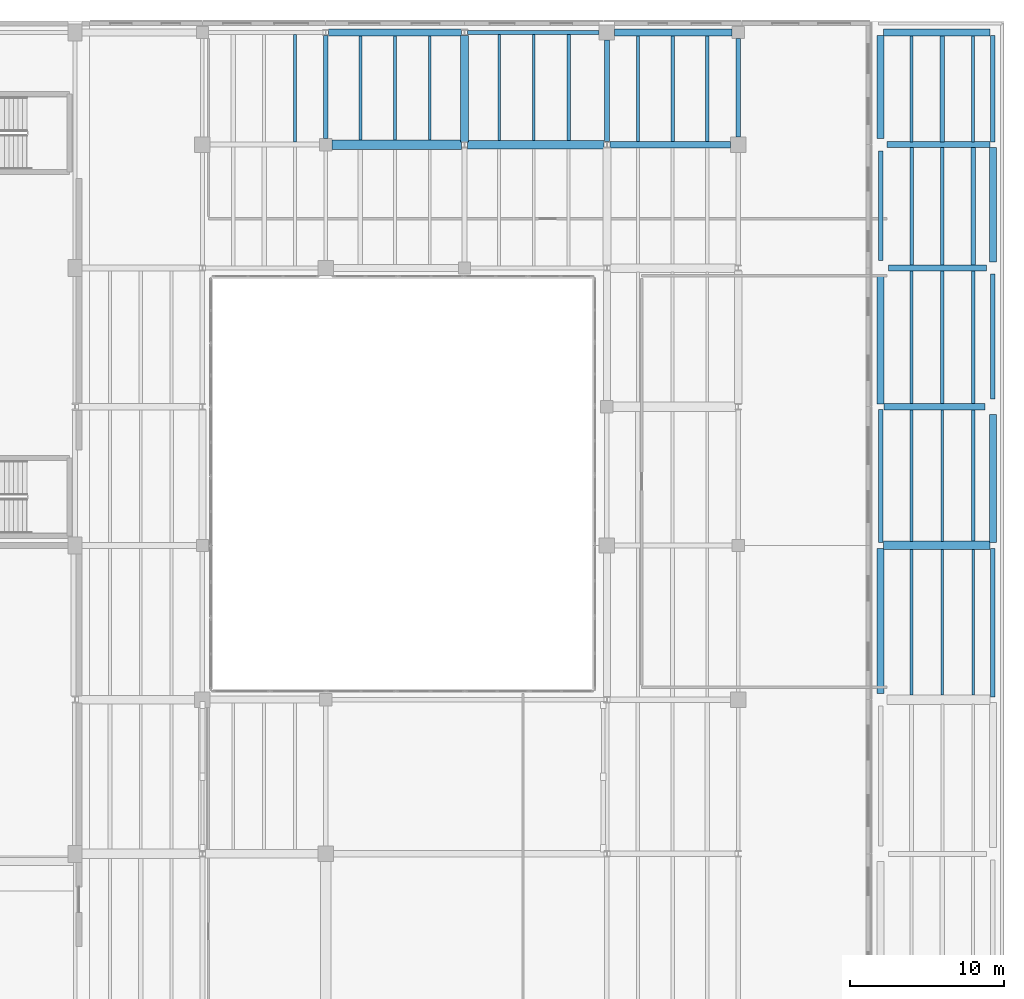
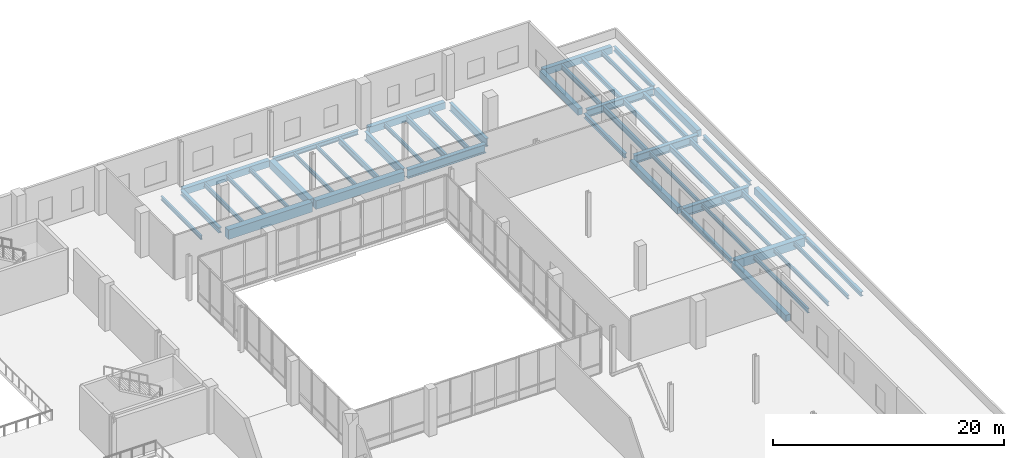
# One storey, part 45 of 73: 50 beams.
"""IFC4 building model written with IfcOpenShell, lengths in metres."""

from ifc_helpers import new_model, si_unit, direction, frame, origin, origin_2d, place, context, subcontext, project, spatial, rectangle, i_section, extrude, material, material_profile, profile_set, type_object, element, save


model = new_model("IFC4")

# Units and contexts
model_context = context("Model", 3, precision=1e-05, world=origin(), true_north=direction((0.0, 1.0)))
body_context = subcontext(model_context, "Body", "Model", "MODEL_VIEW")
ifc_project = project(units=[si_unit("LENGTHUNIT", "METRE"), si_unit("AREAUNIT", "SQUARE_METRE"), si_unit("VOLUMEUNIT", "CUBIC_METRE"), si_unit("PLANEANGLEUNIT", "RADIAN"), si_unit("MASSUNIT", "GRAM", prefix="KILO")], contexts=[model_context])

# Site, building, storey
site_placement = place(None, origin())
site = spatial("IfcSite", under=ifc_project, at=site_placement, CompositionType="ELEMENT")
building_placement = place(site_placement, origin())
building = spatial("IfcBuilding", under=site, at=building_placement, Name="Trimount Lyric Opera House", CompositionType="ELEMENT")
storey_placement = place(building_placement, frame((0.0, 0.0, 10.0)))
storey = spatial("IfcBuildingStorey", under=building, at=storey_placement, Name="L02", CompositionType="ELEMENT", Elevation=10.0)

# Beams
ifc_material_1 = material(Name="Steel ASTM A992 Grade 50", Category="steel")
ifc_material_profile_1 = material_profile(ifc_material_1, i_section(OverallWidth=0.4189453125, OverallDepth=0.927001953125, WebThickness=0.019287109375, FlangeThickness=0.031982421875, FilletRadius=0.02392578125, at=origin_2d()), Name="W36X231")
ifc_profile_set_1 = profile_set([ifc_material_profile_1], Name="Steel ASTM A992 Grade 50")
beam_type_1 = type_object("IfcBeamType", Name="B-02", PredefinedType="BEAM", material=ifc_profile_set_1)
beam_1_placement = place(storey_placement, frame((166.199462890625, 93.0, -0.7333984375), z_axis=(1.0, 0.0, 0.0), x_axis=(0.0, 1.0, 0.0)))
element("IfcBeam", 1, at=beam_1_placement, inside=storey, type_object=beam_type_1, Name="L02 girder X-0787", PredefinedType="BEAM", context=body_context, shape_type="SweptSolid", body=[
    extrude(i_section(OverallWidth=0.4189453125, OverallDepth=0.927001953125, WebThickness=0.019287109375, FlangeThickness=0.031982421875, FilletRadius=0.02392578125, at=origin_2d()), origin(), (0.0, 0.0, 1.0), 6.58056640625),
])
beam_2_placement = place(storey_placement, frame((148.439453125, 110.0, -0.75341796875), z_axis=(1.0, 0.0, 0.0), x_axis=(0.0, 1.0, 0.0)))
element("IfcBeam", 2, at=beam_2_placement, inside=storey, type_object=beam_type_1, Name="L02 girder X-0809", PredefinedType="BEAM", context=body_context, shape_type="SweptSolid", body=[
    extrude(i_section(OverallWidth=0.4189453125, OverallDepth=0.927001953125, WebThickness=0.019287109375, FlangeThickness=0.031982421875, FilletRadius=0.02392578125, at=origin_2d()), origin(), (0.0, 0.0, 1.0), 7.820556640625),
])
ifc_material_2 = material(Name="Steel ASTM A992 Grade 50", Category="steel")
ifc_material_profile_2 = material_profile(ifc_material_2, i_section(OverallWidth=0.304931640625, OverallDepth=0.9189453125, WebThickness=0.017333984375, FlangeThickness=0.02783203125, FilletRadius=0.02001953125, at=origin_2d()), Name="W36X170")
ifc_profile_set_2 = profile_set([ifc_material_profile_2], Name="Steel ASTM A992 Grade 50")
beam_type_2 = type_object("IfcBeamType", Name="B-03", PredefinedType="BEAM", material=ifc_profile_set_2)
beam_3_placement = place(storey_placement, frame((148.239990234375, 110.193115234375, -0.74951171875), z_axis=(0.0, 1.0, 0.0), x_axis=(-1.0, 0.0, 0.0)))
element("IfcBeam", 3, at=beam_3_placement, inside=storey, type_object=beam_type_2, Name="L02 girder Y-0916", PredefinedType="BEAM", context=body_context, shape_type="SweptSolid", body=[
    extrude(i_section(OverallWidth=0.304931640625, OverallDepth=0.9189453125, WebThickness=0.017333984375, FlangeThickness=0.02783203125, FilletRadius=0.02001953125, at=origin_2d()), origin(), (0.0, 0.0, 1.0), 6.5869140625),
])
ifc_material_3 = material(Name="Steel ASTM A992 Grade 50", Category="steel")
ifc_material_profile_3 = material_profile(ifc_material_3, i_section(OverallWidth=0.40087890625, OverallDepth=0.861083984375, WebThickness=0.019775390625, FlangeThickness=0.032470703125, FilletRadius=0.02001953125, at=origin_2d()), Name="W33X221")
ifc_profile_set_3 = profile_set([ifc_material_profile_3], Name="Steel ASTM A992 Grade 50")
beam_type_3 = type_object("IfcBeamType", Name="B-04", PredefinedType="BEAM", material=ifc_profile_set_3)
beam_4_placement = place(storey_placement, frame((166.5, 102.0, -0.700439453125), z_axis=(1.0, 0.0, 0.0), x_axis=(0.0, 1.0, 0.0)))
element("IfcBeam", 4, at=beam_4_placement, inside=storey, type_object=beam_type_3, Name="L02 girder X-0799", PredefinedType="BEAM", context=body_context, shape_type="SweptSolid", body=[
    extrude(i_section(OverallWidth=0.40087890625, OverallDepth=0.861083984375, WebThickness=0.019775390625, FlangeThickness=0.032470703125, FilletRadius=0.02001953125, at=origin_2d()), origin(), (0.0, 0.0, 1.0), 6.3798828125),
])
ifc_material_4 = material(Name="Steel ASTM A992 Grade 50", Category="steel")
ifc_material_profile_4 = material_profile(ifc_material_4, i_section(OverallWidth=0.2919921875, OverallDepth=0.845947265625, WebThickness=0.015380859375, FlangeThickness=0.0244140625, FilletRadius=0.01806640625, at=origin_2d()), Name="W33X141")
ifc_profile_set_4 = profile_set([ifc_material_profile_4], Name="Steel ASTM A992 Grade 50")
beam_type_4 = type_object("IfcBeamType", Name="B-05", PredefinedType="BEAM", material=ifc_profile_set_4)
beam_5_placement = place(storey_placement, frame((156.760009765625, 110.5, -0.712890625), z_axis=(0.0, 1.0, 0.0), x_axis=(-1.0, 0.0, 0.0)))
element("IfcBeam", 5, at=beam_5_placement, inside=storey, type_object=beam_type_4, Name="L02 girder Y-0923", PredefinedType="BEAM", context=body_context, shape_type="SweptSolid", body=[
    extrude(i_section(OverallWidth=0.2919921875, OverallDepth=0.845947265625, WebThickness=0.015380859375, FlangeThickness=0.0244140625, FilletRadius=0.01806640625, at=origin_2d()), origin(), (0.0, 0.0, 1.0), 6.3798828125),
])
ifc_material_5 = material(Name="Steel ASTM A992 Grade 50", Category="steel")
ifc_material_profile_5 = material_profile(ifc_material_5, i_section(OverallWidth=0.382080078125, OverallDepth=0.779052734375, WebThickness=0.01806640625, FlangeThickness=0.0302734375, FilletRadius=0.01904296875, at=origin_2d()), Name="W30X191")
ifc_profile_set_5 = profile_set([ifc_material_profile_5], Name="Steel ASTM A992 Grade 50")
beam_type_5 = type_object("IfcBeamType", Name="B-06", PredefinedType="BEAM", material=ifc_profile_set_5)
beam_6_placement = place(storey_placement, frame((166.39990234375, 110.0, -0.659423828125), z_axis=(1.0, 0.0, 0.0), x_axis=(0.0, 1.0, 0.0)))
element("IfcBeam", 6, at=beam_6_placement, inside=storey, type_object=beam_type_5, Name="L02 girder X-0810", PredefinedType="BEAM", context=body_context, shape_type="SweptSolid", body=[
    extrude(i_section(OverallWidth=0.382080078125, OverallDepth=0.779052734375, WebThickness=0.01806640625, FlangeThickness=0.0302734375, FilletRadius=0.01904296875, at=origin_2d()), origin(), (0.0, 0.0, 1.0), 6.693603515625),
])
ifc_material_6 = material(Name="Steel ASTM A992 Grade 50", Category="steel")
ifc_material_profile_6 = material_profile(ifc_material_6, i_section(OverallWidth=0.31201171875, OverallDepth=0.5458984375, WebThickness=0.013916015625, FlangeThickness=0.022216796875, FilletRadius=0.014892578125, at=origin_2d()), Name="W21X111")
ifc_profile_set_6 = profile_set([ifc_material_profile_6], Name="Steel ASTM A992 Grade 50")
beam_type_6 = type_object("IfcBeamType", Name="B-12", PredefinedType="BEAM", material=ifc_profile_set_6)
beam_7_placement = place(storey_placement, frame((130.0, 110.39990234375, -0.56298828125), z_axis=(0.0, 1.0, 0.0), x_axis=(-1.0, 0.0, 0.0)))
element("IfcBeam", 7, at=beam_7_placement, inside=storey, type_object=beam_type_6, Name="L02 girder Y-0906", PredefinedType="BEAM", context=body_context, shape_type="SweptSolid", body=[
    extrude(i_section(OverallWidth=0.31201171875, OverallDepth=0.5458984375, WebThickness=0.013916015625, FlangeThickness=0.022216796875, FilletRadius=0.014892578125, at=origin_2d()), origin(), (0.0, 0.0, 1.0), 6.696044921875),
])
ifc_material_7 = material(Name="Concrete C40/50", Category="concrete")
ifc_material_profile_7 = material_profile(ifc_material_7, rectangle(XDim=0.60009765625, YDim=1.0, at=origin_2d()), Name="RC600X1000")
ifc_profile_set_7 = profile_set([ifc_material_profile_7], Name="Concrete C40/50")
beam_type_7 = type_object("IfcBeamType", Name="B-13", PredefinedType="BEAM", material=ifc_profile_set_7)
beam_8_placement = place(storey_placement, frame((130.39990234375, 110.0, -0.7900390625), z_axis=(1.0, 0.0, 0.0), x_axis=(0.0, 1.0, 0.0)))
element("IfcBeam", 8, at=beam_8_placement, inside=storey, type_object=beam_type_7, Name="L02 girder X-0807", PredefinedType="BEAM", context=body_context, shape_type="SweptSolid", body=[
    extrude(rectangle(XDim=0.60009765625, YDim=1.0, at=origin_2d()), origin(), (0.0, 0.0, 1.0), 8.41357421875),
])
ifc_material_8 = material(Name="Concrete C40/50", Category="concrete")
ifc_material_profile_8 = material_profile(ifc_material_8, rectangle(XDim=0.550048828125, YDim=0.89990234375, at=origin_2d()), Name="RC550X900")
ifc_profile_set_8 = profile_set([ifc_material_profile_8], Name="Concrete C40/50")
beam_type_8 = type_object("IfcBeamType", Name="B-14", PredefinedType="BEAM", material=ifc_profile_set_8)
beam_9_placement = place(storey_placement, frame((166.1865234375, 84.0, -0.719970703125), z_axis=(1.0, 0.0, 0.0), x_axis=(0.0, 1.0, 0.0)))
element("IfcBeam", 9, at=beam_9_placement, inside=storey, type_object=beam_type_8, Name="L02 girder X-0781", PredefinedType="BEAM", context=body_context, shape_type="SweptSolid", body=[
    extrude(rectangle(XDim=0.550048828125, YDim=0.89990234375, at=origin_2d()), origin(), (0.0, 0.0, 1.0), 6.89404296875),
])
beam_10_placement = place(storey_placement, frame((139.1865234375, 110.0, -0.739990234375), z_axis=(1.0, 0.0, 0.0), x_axis=(0.0, 1.0, 0.0)))
element("IfcBeam", 10, at=beam_10_placement, inside=storey, type_object=beam_type_8, Name="L02 girder X-0808", PredefinedType="BEAM", context=body_context, shape_type="SweptSolid", body=[
    extrude(rectangle(XDim=0.550048828125, YDim=0.89990234375, at=origin_2d()), origin(), (0.0, 0.0, 1.0), 8.85400390625),
])
ifc_material_9 = material(Name="Concrete C40/50", Category="concrete")
ifc_material_profile_9 = material_profile(ifc_material_9, rectangle(XDim=0.5, YDim=0.800048828125, at=origin_2d()), Name="RC500X800")
ifc_profile_set_9 = profile_set([ifc_material_profile_9], Name="Concrete C40/50")
beam_type_9 = type_object("IfcBeamType", Name="B-15", PredefinedType="BEAM", material=ifc_profile_set_9)
beam_11_placement = place(storey_placement, frame((139.0, 110.18408203125, -0.68994140625), z_axis=(0.0, 1.0, 0.0), x_axis=(-1.0, 0.0, 0.0)))
element("IfcBeam", 11, at=beam_11_placement, inside=storey, type_object=beam_type_9, Name="L02 girder Y-0908", PredefinedType="BEAM", context=body_context, shape_type="SweptSolid", body=[
    extrude(rectangle(XDim=0.5, YDim=0.800048828125, at=origin_2d()), origin(), (0.0, 0.0, 1.0), 6.90283203125),
])
ifc_material_10 = material(Name="Steel ASTM A992 Grade 50", Category="steel")
ifc_material_profile_10 = material_profile(ifc_material_10, i_section(OverallWidth=0.22802734375, OverallDepth=0.60205078125, WebThickness=0.010498046875, FlangeThickness=0.014892578125, FilletRadius=0.012939453125, at=origin_2d()), Name="W24X68")
ifc_profile_set_10 = profile_set([ifc_material_profile_10], Name="Steel ASTM A992 Grade 50")
beam_type_10 = type_object("IfcBeamType", Name="J-01", PredefinedType="BEAM", material=ifc_profile_set_10)
beam_12_placement = place(storey_placement, frame((145.75, 110.27099609375, -0.591064453125), z_axis=(0.0, 1.0, 0.0), x_axis=(-1.0, 0.0, 0.0)))
element("IfcBeam", 12, at=beam_12_placement, inside=storey, type_object=beam_type_10, Name="L02 composite floor joist 0943", PredefinedType="BEAM", context=body_context, shape_type="SweptSolid", body=[
    extrude(i_section(OverallWidth=0.22802734375, OverallDepth=0.60205078125, WebThickness=0.010498046875, FlangeThickness=0.014892578125, FilletRadius=0.012939453125, at=origin_2d()), origin(), (0.0, 0.0, 1.0), 6.8720703125),
])
beam_13_placement = place(storey_placement, frame((152.5, 110.20556640625, -0.591064453125), z_axis=(0.0, 1.0, 0.0), x_axis=(-1.0, 0.0, 0.0)))
element("IfcBeam", 13, at=beam_13_placement, inside=storey, type_object=beam_type_10, Name="L02 composite floor joist 0963", PredefinedType="BEAM", context=body_context, shape_type="SweptSolid", body=[
    extrude(i_section(OverallWidth=0.22802734375, OverallDepth=0.60205078125, WebThickness=0.010498046875, FlangeThickness=0.014892578125, FilletRadius=0.012939453125, at=origin_2d()), origin(), (0.0, 0.0, 1.0), 6.853515625),
])
beam_14_placement = place(storey_placement, frame((172.0, 84.27099609375, -0.571044921875), z_axis=(0.0, 1.0, 0.0), x_axis=(-1.0, 0.0, 0.0)))
element("IfcBeam", 14, at=beam_14_placement, inside=storey, type_object=beam_type_10, Name="L02 composite floor joist 0979", PredefinedType="BEAM", context=body_context, shape_type="SweptSolid", body=[
    extrude(i_section(OverallWidth=0.22802734375, OverallDepth=0.60205078125, WebThickness=0.010498046875, FlangeThickness=0.014892578125, FilletRadius=0.012939453125, at=origin_2d()), origin(), (0.0, 0.0, 1.0), 8.5234375),
])
beam_15_placement = place(storey_placement, frame((170.0, 93.20556640625, -0.571044921875), z_axis=(0.0, 1.0, 0.0), x_axis=(-1.0, 0.0, 0.0)))
element("IfcBeam", 15, at=beam_15_placement, inside=storey, type_object=beam_type_10, Name="L02 composite floor joist 0981", PredefinedType="BEAM", context=body_context, shape_type="SweptSolid", body=[
    extrude(i_section(OverallWidth=0.22802734375, OverallDepth=0.60205078125, WebThickness=0.010498046875, FlangeThickness=0.014892578125, FilletRadius=0.012939453125, at=origin_2d()), origin(), (0.0, 0.0, 1.0), 8.597900390625),
])
beam_16_placement = place(storey_placement, frame((168.0, 102.196533203125, -0.571044921875), z_axis=(0.0, 1.0, 0.0), x_axis=(-1.0, 0.0, 0.0)))
element("IfcBeam", 16, at=beam_16_placement, inside=storey, type_object=beam_type_10, Name="L02 composite floor joist 0983", PredefinedType="BEAM", context=body_context, shape_type="SweptSolid", body=[
    extrude(i_section(OverallWidth=0.22802734375, OverallDepth=0.60205078125, WebThickness=0.010498046875, FlangeThickness=0.014892578125, FilletRadius=0.012939453125, at=origin_2d()), origin(), (0.0, 0.0, 1.0), 7.616455078125),
])
ifc_material_11 = material(Name="Steel ASTM A992 Grade 50", Category="steel")
ifc_material_profile_11 = material_profile(ifc_material_11, i_section(OverallWidth=0.2099609375, OverallDepth=0.532958984375, WebThickness=0.01025390625, FlangeThickness=0.015625, FilletRadius=0.012939453125, at=origin_2d()), Name="W21X62")
ifc_profile_set_11 = profile_set([ifc_material_profile_11], Name="Steel ASTM A992 Grade 50")
beam_type_11 = type_object("IfcBeamType", Name="J-02", PredefinedType="BEAM", material=ifc_profile_set_11)
beam_17_placement = place(storey_placement, frame((154.75, 110.20556640625, -0.556396484375), z_axis=(0.0, 1.0, 0.0), x_axis=(-1.0, 0.0, 0.0)))
element("IfcBeam", 17, at=beam_17_placement, inside=storey, type_object=beam_type_11, Name="L02 composite floor joist 0964", PredefinedType="BEAM", context=body_context, shape_type="SweptSolid", body=[
    extrude(i_section(OverallWidth=0.2099609375, OverallDepth=0.532958984375, WebThickness=0.01025390625, FlangeThickness=0.015625, FilletRadius=0.012939453125, at=origin_2d()), origin(), (0.0, 0.0, 1.0), 6.853515625),
])
beam_18_placement = place(storey_placement, frame((172.0, 93.20556640625, -0.53662109375), z_axis=(0.0, 1.0, 0.0), x_axis=(-1.0, 0.0, 0.0)))
element("IfcBeam", 18, at=beam_18_placement, inside=storey, type_object=beam_type_11, Name="L02 composite floor joist 0982", PredefinedType="BEAM", context=body_context, shape_type="SweptSolid", body=[
    extrude(i_section(OverallWidth=0.2099609375, OverallDepth=0.532958984375, WebThickness=0.01025390625, FlangeThickness=0.015625, FilletRadius=0.012939453125, at=origin_2d()), origin(), (0.0, 0.0, 1.0), 8.597900390625),
])
beam_19_placement = place(storey_placement, frame((170.0, 102.196533203125, -0.53662109375), z_axis=(0.0, 1.0, 0.0), x_axis=(-1.0, 0.0, 0.0)))
element("IfcBeam", 19, at=beam_19_placement, inside=storey, type_object=beam_type_11, Name="L02 composite floor joist 0984", PredefinedType="BEAM", context=body_context, shape_type="SweptSolid", body=[
    extrude(i_section(OverallWidth=0.2099609375, OverallDepth=0.532958984375, WebThickness=0.01025390625, FlangeThickness=0.015625, FilletRadius=0.012939453125, at=origin_2d()), origin(), (0.0, 0.0, 1.0), 7.616455078125),
])
beam_20_placement = place(storey_placement, frame((168.0, 110.18701171875, -0.53662109375), z_axis=(0.0, 1.0, 0.0), x_axis=(-1.0, 0.0, 0.0)))
element("IfcBeam", 20, at=beam_20_placement, inside=storey, type_object=beam_type_11, Name="L02 composite floor joist 0986", PredefinedType="BEAM", context=body_context, shape_type="SweptSolid", body=[
    extrude(i_section(OverallWidth=0.2099609375, OverallDepth=0.532958984375, WebThickness=0.01025390625, FlangeThickness=0.015625, FilletRadius=0.012939453125, at=origin_2d()), origin(), (0.0, 0.0, 1.0), 6.8720703125),
])
ifc_material_12 = material(Name="Steel ASTM A992 Grade 50", Category="steel")
ifc_material_profile_12 = material_profile(ifc_material_12, i_section(OverallWidth=0.281982421875, OverallDepth=0.467041015625, WebThickness=0.01220703125, FlangeThickness=0.01953125, FilletRadius=0.012939453125, at=origin_2d()), Name="W18X86")
ifc_profile_set_12 = profile_set([ifc_material_profile_12], Name="Steel ASTM A992 Grade 50")
beam_type_12 = type_object("IfcBeamType", Name="J-03", PredefinedType="BEAM", material=ifc_profile_set_12)
beam_21_placement = place(storey_placement, frame((172.0, 102.196533203125, -0.50341796875), z_axis=(0.0, 1.0, 0.0), x_axis=(-1.0, 0.0, 0.0)))
element("IfcBeam", 21, at=beam_21_placement, inside=storey, type_object=beam_type_12, Name="L02 composite floor joist 0985", PredefinedType="BEAM", context=body_context, shape_type="SweptSolid", body=[
    extrude(i_section(OverallWidth=0.281982421875, OverallDepth=0.467041015625, WebThickness=0.01220703125, FlangeThickness=0.01953125, FilletRadius=0.012939453125, at=origin_2d()), origin(), (0.0, 0.0, 1.0), 7.616455078125),
])
beam_22_placement = place(storey_placement, frame((170.0, 110.18701171875, -0.50341796875), z_axis=(0.0, 1.0, 0.0), x_axis=(-1.0, 0.0, 0.0)))
element("IfcBeam", 22, at=beam_22_placement, inside=storey, type_object=beam_type_12, Name="L02 composite floor joist 0987", PredefinedType="BEAM", context=body_context, shape_type="SweptSolid", body=[
    extrude(i_section(OverallWidth=0.281982421875, OverallDepth=0.467041015625, WebThickness=0.01220703125, FlangeThickness=0.01953125, FilletRadius=0.012939453125, at=origin_2d()), origin(), (0.0, 0.0, 1.0), 6.8720703125),
])
ifc_material_13 = material(Name="Steel ASTM A992 Grade 50", Category="steel")
ifc_material_profile_13 = material_profile(ifc_material_13, i_section(OverallWidth=0.19091796875, OverallDepth=0.45703125, WebThickness=0.009033203125, FlangeThickness=0.014404296875, FilletRadius=0.010986328125, at=origin_2d()), Name="W18X50")
ifc_profile_set_13 = profile_set([ifc_material_profile_13], Name="Steel ASTM A992 Grade 50")
beam_type_13 = type_object("IfcBeamType", Name="J-04", PredefinedType="BEAM", material=ifc_profile_set_13)
beam_23_placement = place(storey_placement, frame((132.25, 110.2958984375, -0.5185546875), z_axis=(0.0, 1.0, 0.0), x_axis=(-1.0, 0.0, 0.0)))
element("IfcBeam", 23, at=beam_23_placement, inside=storey, type_object=beam_type_13, Name="L02 composite floor joist 0935", PredefinedType="BEAM", context=body_context, shape_type="SweptSolid", body=[
    extrude(i_section(OverallWidth=0.19091796875, OverallDepth=0.45703125, WebThickness=0.009033203125, FlangeThickness=0.014404296875, FilletRadius=0.010986328125, at=origin_2d()), origin(), (0.0, 0.0, 1.0), 6.76318359375),
])
beam_24_placement = place(storey_placement, frame((168.0, 74.2958984375, -0.49853515625), z_axis=(0.0, 1.0, 0.0), x_axis=(-1.0, 0.0, 0.0)))
element("IfcBeam", 24, at=beam_24_placement, inside=storey, type_object=beam_type_13, Name="L02 composite floor joist 0974", PredefinedType="BEAM", context=body_context, shape_type="SweptSolid", body=[
    extrude(i_section(OverallWidth=0.19091796875, OverallDepth=0.45703125, WebThickness=0.009033203125, FlangeThickness=0.014404296875, FilletRadius=0.010986328125, at=origin_2d()), origin(), (0.0, 0.0, 1.0), 9.43310546875),
])
beam_25_placement = place(storey_placement, frame((172.0, 110.18701171875, -0.49853515625), z_axis=(0.0, 1.0, 0.0), x_axis=(-1.0, 0.0, 0.0)))
element("IfcBeam", 25, at=beam_25_placement, inside=storey, type_object=beam_type_13, Name="L02 composite floor joist 0988", PredefinedType="BEAM", context=body_context, shape_type="SweptSolid", body=[
    extrude(i_section(OverallWidth=0.19091796875, OverallDepth=0.45703125, WebThickness=0.009033203125, FlangeThickness=0.014404296875, FilletRadius=0.010986328125, at=origin_2d()), origin(), (0.0, 0.0, 1.0), 6.8720703125),
])
ifc_material_14 = material(Name="Steel ASTM A992 Grade 50", Category="steel")
ifc_material_profile_14 = material_profile(ifc_material_14, i_section(OverallWidth=0.180908203125, OverallDepth=0.4169921875, WebThickness=0.010986328125, FlangeThickness=0.018310546875, FilletRadius=0.010986328125, at=origin_2d()), Name="W16X57")
ifc_profile_set_14 = profile_set([ifc_material_profile_14], Name="Steel ASTM A992 Grade 50")
beam_type_14 = type_object("IfcBeamType", Name="J-05", PredefinedType="BEAM", material=ifc_profile_set_14)
beam_26_placement = place(storey_placement, frame((128.0, 110.159912109375, -0.49853515625), z_axis=(0.0, 1.0, 0.0), x_axis=(-1.0, 0.0, 0.0)))
element("IfcBeam", 26, at=beam_26_placement, inside=storey, type_object=beam_type_14, Name="L02 composite floor joist 0931", PredefinedType="BEAM", context=body_context, shape_type="SweptSolid", body=[
    extrude(i_section(OverallWidth=0.180908203125, OverallDepth=0.4169921875, WebThickness=0.010986328125, FlangeThickness=0.018310546875, FilletRadius=0.010986328125, at=origin_2d()), origin(), (0.0, 0.0, 1.0), 6.983154296875),
])
beam_27_placement = place(storey_placement, frame((134.5, 110.2958984375, -0.49853515625), z_axis=(0.0, 1.0, 0.0), x_axis=(-1.0, 0.0, 0.0)))
element("IfcBeam", 27, at=beam_27_placement, inside=storey, type_object=beam_type_14, Name="L02 composite floor joist 0936", PredefinedType="BEAM", context=body_context, shape_type="SweptSolid", body=[
    extrude(i_section(OverallWidth=0.180908203125, OverallDepth=0.4169921875, WebThickness=0.010986328125, FlangeThickness=0.018310546875, FilletRadius=0.010986328125, at=origin_2d()), origin(), (0.0, 0.0, 1.0), 6.76318359375),
])
beam_28_placement = place(storey_placement, frame((141.25, 110.27099609375, -0.49853515625), z_axis=(0.0, 1.0, 0.0), x_axis=(-1.0, 0.0, 0.0)))
element("IfcBeam", 28, at=beam_28_placement, inside=storey, type_object=beam_type_14, Name="L02 composite floor joist 0941", PredefinedType="BEAM", context=body_context, shape_type="SweptSolid", body=[
    extrude(i_section(OverallWidth=0.180908203125, OverallDepth=0.4169921875, WebThickness=0.010986328125, FlangeThickness=0.018310546875, FilletRadius=0.010986328125, at=origin_2d()), origin(), (0.0, 0.0, 1.0), 6.8720703125),
])
beam_29_placement = place(storey_placement, frame((170.0, 74.2958984375, -0.478515625), z_axis=(0.0, 1.0, 0.0), x_axis=(-1.0, 0.0, 0.0)))
element("IfcBeam", 29, at=beam_29_placement, inside=storey, type_object=beam_type_14, Name="L02 composite floor joist 0975", PredefinedType="BEAM", context=body_context, shape_type="SweptSolid", body=[
    extrude(i_section(OverallWidth=0.180908203125, OverallDepth=0.4169921875, WebThickness=0.010986328125, FlangeThickness=0.018310546875, FilletRadius=0.010986328125, at=origin_2d()), origin(), (0.0, 0.0, 1.0), 9.43310546875),
])
beam_30_placement = place(storey_placement, frame((168.0, 84.27099609375, -0.478515625), z_axis=(0.0, 1.0, 0.0), x_axis=(-1.0, 0.0, 0.0)))
element("IfcBeam", 30, at=beam_30_placement, inside=storey, type_object=beam_type_14, Name="L02 composite floor joist 0977", PredefinedType="BEAM", context=body_context, shape_type="SweptSolid", body=[
    extrude(i_section(OverallWidth=0.180908203125, OverallDepth=0.4169921875, WebThickness=0.010986328125, FlangeThickness=0.018310546875, FilletRadius=0.010986328125, at=origin_2d()), origin(), (0.0, 0.0, 1.0), 8.5234375),
])
ifc_material_15 = material(Name="Steel ASTM A992 Grade 50", Category="steel")
ifc_material_profile_15 = material_profile(ifc_material_15, i_section(OverallWidth=0.177978515625, OverallDepth=0.404052734375, WebThickness=0.007568359375, FlangeThickness=0.010986328125, FilletRadius=0.010009765625, at=origin_2d()), Name="W16X36")
ifc_profile_set_15 = profile_set([ifc_material_profile_15], Name="Steel ASTM A992 Grade 50")
beam_type_15 = type_object("IfcBeamType", Name="J-06", PredefinedType="BEAM", material=ifc_profile_set_15)
beam_31_placement = place(storey_placement, frame((136.75, 110.2958984375, -0.491943359375), z_axis=(0.0, 1.0, 0.0), x_axis=(-1.0, 0.0, 0.0)))
element("IfcBeam", 31, at=beam_31_placement, inside=storey, type_object=beam_type_15, Name="L02 composite floor joist 0937", PredefinedType="BEAM", context=body_context, shape_type="SweptSolid", body=[
    extrude(i_section(OverallWidth=0.177978515625, OverallDepth=0.404052734375, WebThickness=0.007568359375, FlangeThickness=0.010986328125, FilletRadius=0.010009765625, at=origin_2d()), origin(), (0.0, 0.0, 1.0), 6.76318359375),
])
beam_32_placement = place(storey_placement, frame((143.5, 110.27099609375, -0.491943359375), z_axis=(0.0, 1.0, 0.0), x_axis=(-1.0, 0.0, 0.0)))
element("IfcBeam", 32, at=beam_32_placement, inside=storey, type_object=beam_type_15, Name="L02 composite floor joist 0942", PredefinedType="BEAM", context=body_context, shape_type="SweptSolid", body=[
    extrude(i_section(OverallWidth=0.177978515625, OverallDepth=0.404052734375, WebThickness=0.007568359375, FlangeThickness=0.010986328125, FilletRadius=0.010009765625, at=origin_2d()), origin(), (0.0, 0.0, 1.0), 6.8720703125),
])
beam_33_placement = place(storey_placement, frame((150.25, 110.20556640625, -0.491943359375), z_axis=(0.0, 1.0, 0.0), x_axis=(-1.0, 0.0, 0.0)))
element("IfcBeam", 33, at=beam_33_placement, inside=storey, type_object=beam_type_15, Name="L02 composite floor joist 0962", PredefinedType="BEAM", context=body_context, shape_type="SweptSolid", body=[
    extrude(i_section(OverallWidth=0.177978515625, OverallDepth=0.404052734375, WebThickness=0.007568359375, FlangeThickness=0.010986328125, FilletRadius=0.010009765625, at=origin_2d()), origin(), (0.0, 0.0, 1.0), 6.853515625),
])
beam_34_placement = place(storey_placement, frame((172.0, 74.2958984375, -0.471923828125), z_axis=(0.0, 1.0, 0.0), x_axis=(-1.0, 0.0, 0.0)))
element("IfcBeam", 34, at=beam_34_placement, inside=storey, type_object=beam_type_15, Name="L02 composite floor joist 0976", PredefinedType="BEAM", context=body_context, shape_type="SweptSolid", body=[
    extrude(i_section(OverallWidth=0.177978515625, OverallDepth=0.404052734375, WebThickness=0.007568359375, FlangeThickness=0.010986328125, FilletRadius=0.010009765625, at=origin_2d()), origin(), (0.0, 0.0, 1.0), 9.43310546875),
])
beam_35_placement = place(storey_placement, frame((170.0, 84.27099609375, -0.471923828125), z_axis=(0.0, 1.0, 0.0), x_axis=(-1.0, 0.0, 0.0)))
element("IfcBeam", 35, at=beam_35_placement, inside=storey, type_object=beam_type_15, Name="L02 composite floor joist 0978", PredefinedType="BEAM", context=body_context, shape_type="SweptSolid", body=[
    extrude(i_section(OverallWidth=0.177978515625, OverallDepth=0.404052734375, WebThickness=0.007568359375, FlangeThickness=0.010986328125, FilletRadius=0.010009765625, at=origin_2d()), origin(), (0.0, 0.0, 1.0), 8.5234375),
])
beam_36_placement = place(storey_placement, frame((168.0, 93.20556640625, -0.471923828125), z_axis=(0.0, 1.0, 0.0), x_axis=(-1.0, 0.0, 0.0)))
element("IfcBeam", 36, at=beam_36_placement, inside=storey, type_object=beam_type_15, Name="L02 composite floor joist 0980", PredefinedType="BEAM", context=body_context, shape_type="SweptSolid", body=[
    extrude(i_section(OverallWidth=0.177978515625, OverallDepth=0.404052734375, WebThickness=0.007568359375, FlangeThickness=0.010986328125, FilletRadius=0.010009765625, at=origin_2d()), origin(), (0.0, 0.0, 1.0), 8.597900390625),
])
ifc_material_16 = material(Name="Steel ASTM A992 Grade 50", Category="steel")
ifc_material_profile_16 = material_profile(ifc_material_16, i_section(OverallWidth=0.281982421875, OverallDepth=0.467041015625, WebThickness=0.01220703125, FlangeThickness=0.01953125, FilletRadius=0.012939453125, at=origin_2d()), Name="W18X86")
ifc_profile_set_16 = profile_set([ifc_material_profile_16], Name="Steel ASTM A992 Grade 50")
beam_type_16 = type_object("IfcBeamType", Name="SP-01", PredefinedType="SPANDREL", material=ifc_profile_set_16)
beam_37_placement = place(storey_placement, frame((139.199462890625, 117.280029296875, -0.5234375), z_axis=(1.0, 0.0, 0.0), x_axis=(0.0, 1.0, 0.0)))
element("IfcBeam", 37, at=beam_37_placement, inside=storey, type_object=beam_type_16, Name="L02 girder X-0826", PredefinedType="SPANDREL", context=body_context, shape_type="SweptSolid", body=[
    extrude(i_section(OverallWidth=0.281982421875, OverallDepth=0.467041015625, WebThickness=0.01220703125, FlangeThickness=0.01953125, FilletRadius=0.012939453125, at=origin_2d()), origin(), (0.0, 0.0, 1.0), 8.54052734375),
])
beam_38_placement = place(storey_placement, frame((166.0, 84.18408203125, -0.50341796875), z_axis=(0.0, 1.0, 0.0), x_axis=(-1.0, 0.0, 0.0)))
element("IfcBeam", 38, at=beam_38_placement, inside=storey, type_object=beam_type_16, Name="L02 girder Y-0928", PredefinedType="SPANDREL", context=body_context, shape_type="SweptSolid", body=[
    extrude(i_section(OverallWidth=0.281982421875, OverallDepth=0.467041015625, WebThickness=0.01220703125, FlangeThickness=0.01953125, FilletRadius=0.012939453125, at=origin_2d()), origin(), (0.0, 0.0, 1.0), 8.622802734375),
])
beam_39_placement = place(storey_placement, frame((166.0, 102.5, -0.50341796875), z_axis=(0.0, 1.0, 0.0), x_axis=(-1.0, 0.0, 0.0)))
element("IfcBeam", 39, at=beam_39_placement, inside=storey, type_object=beam_type_16, Name="L02 girder Y-0930", PredefinedType="SPANDREL", context=body_context, shape_type="SweptSolid", body=[
    extrude(i_section(OverallWidth=0.281982421875, OverallDepth=0.467041015625, WebThickness=0.01220703125, FlangeThickness=0.01953125, FilletRadius=0.012939453125, at=origin_2d()), origin(), (0.0, 0.0, 1.0), 7.10009765625),
])
beam_40_placement = place(storey_placement, frame((173.280029296875, 74.18408203125, -0.50341796875), z_axis=(0.0, 1.0, 0.0), x_axis=(-1.0, 0.0, 0.0)))
element("IfcBeam", 40, at=beam_40_placement, inside=storey, type_object=beam_type_16, Name="L02 girder Y-0935", PredefinedType="SPANDREL", context=body_context, shape_type="SweptSolid", body=[
    extrude(i_section(OverallWidth=0.281982421875, OverallDepth=0.467041015625, WebThickness=0.01220703125, FlangeThickness=0.01953125, FilletRadius=0.012939453125, at=origin_2d()), origin(), (0.0, 0.0, 1.0), 9.622802734375),
])
beam_41_placement = place(storey_placement, frame((173.280029296875, 93.5, -0.50341796875), z_axis=(0.0, 1.0, 0.0), x_axis=(-1.0, 0.0, 0.0)))
element("IfcBeam", 41, at=beam_41_placement, inside=storey, type_object=beam_type_16, Name="L02 girder Y-0937", PredefinedType="SPANDREL", context=body_context, shape_type="SweptSolid", body=[
    extrude(i_section(OverallWidth=0.281982421875, OverallDepth=0.467041015625, WebThickness=0.01220703125, FlangeThickness=0.01953125, FilletRadius=0.012939453125, at=origin_2d()), origin(), (0.0, 0.0, 1.0), 8.10009765625),
])
beam_42_placement = place(storey_placement, frame((173.280029296875, 110.18408203125, -0.50341796875), z_axis=(0.0, 1.0, 0.0), x_axis=(-1.0, 0.0, 0.0)))
element("IfcBeam", 42, at=beam_42_placement, inside=storey, type_object=beam_type_16, Name="L02 girder Y-0939", PredefinedType="SPANDREL", context=body_context, shape_type="SweptSolid", body=[
    extrude(i_section(OverallWidth=0.281982421875, OverallDepth=0.467041015625, WebThickness=0.01220703125, FlangeThickness=0.01953125, FilletRadius=0.012939453125, at=origin_2d()), origin(), (0.0, 0.0, 1.0), 6.90283203125),
])
ifc_material_17 = material(Name="Concrete C40/50", Category="concrete")
ifc_material_profile_17 = material_profile(ifc_material_17, rectangle(XDim=0.449951171875, YDim=0.699951171875, at=origin_2d()), Name="RC450X700")
ifc_profile_set_17 = profile_set([ifc_material_profile_17], Name="Concrete C40/50")
beam_type_17 = type_object("IfcBeamType", Name="SP-02", PredefinedType="SPANDREL", material=ifc_profile_set_17)
beam_43_placement = place(storey_placement, frame((130.1865234375, 117.280029296875, -0.639892578125), z_axis=(1.0, 0.0, 0.0), x_axis=(0.0, 1.0, 0.0)))
element("IfcBeam", 43, at=beam_43_placement, inside=storey, type_object=beam_type_17, Name="L02 girder X-0825", PredefinedType="SPANDREL", context=body_context, shape_type="SweptSolid", body=[
    extrude(rectangle(XDim=0.449951171875, YDim=0.699951171875, at=origin_2d()), origin(), (0.0, 0.0, 1.0), 8.614013671875),
])
beam_44_placement = place(storey_placement, frame((148.739990234375, 117.280029296875, -0.639892578125), z_axis=(1.0, 0.0, 0.0), x_axis=(0.0, 1.0, 0.0)))
element("IfcBeam", 44, at=beam_44_placement, inside=storey, type_object=beam_type_17, Name="L02 girder X-0827", PredefinedType="SPANDREL", context=body_context, shape_type="SweptSolid", body=[
    extrude(rectangle(XDim=0.449951171875, YDim=0.699951171875, at=origin_2d()), origin(), (0.0, 0.0, 1.0), 7.6201171875),
])
beam_45_placement = place(storey_placement, frame((166.1865234375, 117.280029296875, -0.6201171875), z_axis=(1.0, 0.0, 0.0), x_axis=(0.0, 1.0, 0.0)))
element("IfcBeam", 45, at=beam_45_placement, inside=storey, type_object=beam_type_17, Name="L02 girder X-0828", PredefinedType="SPANDREL", context=body_context, shape_type="SweptSolid", body=[
    extrude(rectangle(XDim=0.449951171875, YDim=0.699951171875, at=origin_2d()), origin(), (0.0, 0.0, 1.0), 6.89404296875),
])
beam_46_placement = place(storey_placement, frame((166.0, 74.39990234375, -0.6201171875), z_axis=(0.0, 1.0, 0.0), x_axis=(-1.0, 0.0, 0.0)))
element("IfcBeam", 46, at=beam_46_placement, inside=storey, type_object=beam_type_17, Name="L02 girder Y-0927", PredefinedType="SPANDREL", context=body_context, shape_type="SweptSolid", body=[
    extrude(rectangle(XDim=0.449951171875, YDim=0.699951171875, at=origin_2d()), origin(), (0.0, 0.0, 1.0), 9.416015625),
])
beam_47_placement = place(storey_placement, frame((166.0, 93.193115234375, -0.6201171875), z_axis=(0.0, 1.0, 0.0), x_axis=(-1.0, 0.0, 0.0)))
element("IfcBeam", 47, at=beam_47_placement, inside=storey, type_object=beam_type_17, Name="L02 girder Y-0929", PredefinedType="SPANDREL", context=body_context, shape_type="SweptSolid", body=[
    extrude(rectangle(XDim=0.449951171875, YDim=0.699951171875, at=origin_2d()), origin(), (0.0, 0.0, 1.0), 8.306884765625),
])
beam_48_placement = place(storey_placement, frame((166.0, 110.39990234375, -0.6201171875), z_axis=(0.0, 1.0, 0.0), x_axis=(-1.0, 0.0, 0.0)))
element("IfcBeam", 48, at=beam_48_placement, inside=storey, type_object=beam_type_17, Name="L02 girder Y-0931", PredefinedType="SPANDREL", context=body_context, shape_type="SweptSolid", body=[
    extrude(rectangle(XDim=0.449951171875, YDim=0.699951171875, at=origin_2d()), origin(), (0.0, 0.0, 1.0), 6.696044921875),
])
beam_49_placement = place(storey_placement, frame((173.280029296875, 84.193115234375, -0.6201171875), z_axis=(0.0, 1.0, 0.0), x_axis=(-1.0, 0.0, 0.0)))
element("IfcBeam", 49, at=beam_49_placement, inside=storey, type_object=beam_type_17, Name="L02 girder Y-0936", PredefinedType="SPANDREL", context=body_context, shape_type="SweptSolid", body=[
    extrude(rectangle(XDim=0.449951171875, YDim=0.699951171875, at=origin_2d()), origin(), (0.0, 0.0, 1.0), 8.306884765625),
])
beam_50_placement = place(storey_placement, frame((173.280029296875, 102.39990234375, -0.6201171875), z_axis=(0.0, 1.0, 0.0), x_axis=(-1.0, 0.0, 0.0)))
element("IfcBeam", 50, at=beam_50_placement, inside=storey, type_object=beam_type_17, Name="L02 girder Y-0938", PredefinedType="SPANDREL", context=body_context, shape_type="SweptSolid", body=[
    extrude(rectangle(XDim=0.449951171875, YDim=0.699951171875, at=origin_2d()), origin(), (0.0, 0.0, 1.0), 7.416015625),
])

save(model, "model.ifc")
